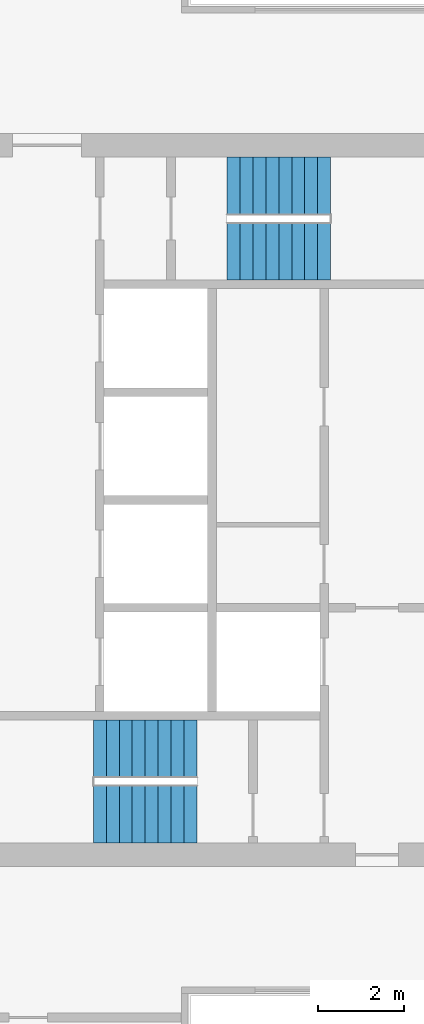
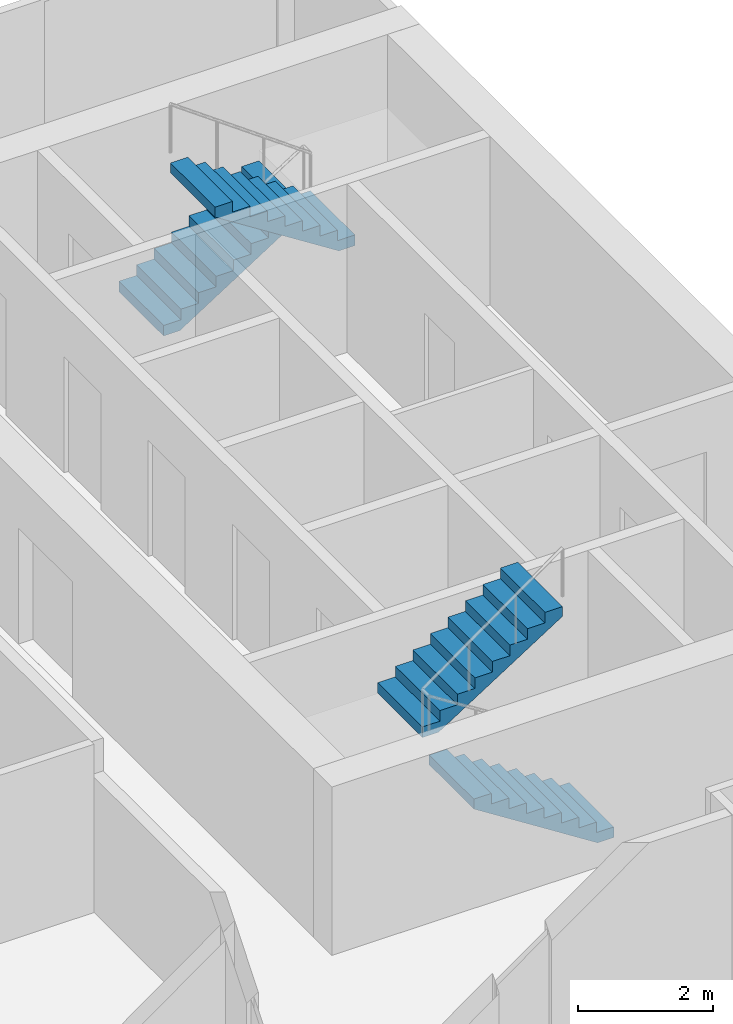
# One storey, part 8 of 10: 4 stair flights, 2 elements without a shape of their own.
"""IFC4 building model written with IfcOpenShell, lengths in metres."""

from ifc_helpers import new_model, si_unit, direction, frame, origin, place, context, subcontext, project, spatial, polyline, outline, extrude, material, type_object, element, aggregate, save


model = new_model("IFC4")

# Units and contexts
model_context = context("Model", 3, precision=1e-05, world=origin(), true_north=direction((0.0, 1.0)))
body_context = subcontext(model_context, "Body", "Model", "MODEL_VIEW")
ifc_project = project(units=[si_unit("LENGTHUNIT", "METRE"), si_unit("AREAUNIT", "SQUARE_METRE"), si_unit("VOLUMEUNIT", "CUBIC_METRE"), si_unit("PLANEANGLEUNIT", "RADIAN"), si_unit("MASSUNIT", "GRAM", prefix="KILO")], contexts=[model_context])

# Site, building, storey
site_placement = place(None, origin())
site = spatial("IfcSite", under=ifc_project, at=site_placement, CompositionType="ELEMENT")
building_placement = place(site_placement, origin())
building = spatial("IfcBuilding", under=site, at=building_placement, Name="Kitamizu Gate Tower and Museum", CompositionType="ELEMENT")
storey_placement = place(building_placement, frame((0.0, 0.0, 185.85009765625)))
storey = spatial("IfcBuildingStorey", under=building, at=storey_placement, Name="L49", CompositionType="ELEMENT", Elevation=185.85009765625)

# Stair, stair flights
ifc_material_1 = material(Name="Concrete Fc42", Category="concrete")
stair_type = type_object("IfcStairType", Name="Exit stair 1325 wide 192 rise 300 going", PredefinedType="HALF_TURN_STAIR", material=ifc_material_1)
stair_1_placement = place(storey_placement, origin())
stair_1 = element("IfcStair", 1, at=stair_1_placement, inside=storey, type_object=stair_type, Name="Exit stair ST3", PredefinedType="HALF_TURN_STAIR")
ifc_material_2 = material(Name="Concrete Fc42", Category="concrete")
stair_flight_type = type_object("IfcStairFlightType", Name="Stair flight 1325 wide 192 rise 300 going", PredefinedType="STRAIGHT", material=ifc_material_2)
stair_flight_1_placement = place(storey_placement, frame((53.64990234375, 22.71240234375, 0.0), z_axis=(0.0, 0.0, 1.0), x_axis=(-1.0, 0.0, 0.0)))
stair_flight_1 = element("IfcStairFlight", 2, at=stair_flight_1_placement, type_object=stair_flight_type, Name="ST3 flight 1", NumberOfRisers=9, NumberOfTreads=8, PredefinedType="STRAIGHT", RiserHeight=0.191666667, TreadLength=0.3, context=body_context, shape_type="SweptSolid", body=[
    extrude(outline(polyline([(0.0, 0.0), (0.0, 0.191650390625), (0.300048828125, 0.191650390625), (0.300048828125, 0.38330078125), (0.60009765625, 0.38330078125), (0.60009765625, 0.574951171875), (0.89990234375, 0.574951171875), (0.89990234375, 0.7666015625), (1.199951171875, 0.7666015625), (1.199951171875, 0.958251953125), (1.5, 0.958251953125), (1.5, 1.14990234375), (1.800048828125, 1.14990234375), (1.800048828125, 1.341552734375), (2.10009765625, 1.341552734375), (2.10009765625, 1.533447265625), (2.39990234375, 1.533447265625), (2.39990234375, 1.72509765625), (2.39990234375, 1.35546875), (0.2783203125, 0.0), (0.0, 0.0)])), frame((0.0, 0.66259765625, 0.0), z_axis=(0.0, -1.0, 0.0), x_axis=(1.0, 0.0, 0.0)), (0.0, 0.0, 1.0), 1.324951171875),
])
stair_flight_2_placement = place(storey_placement, frame((51.25, 24.237548828125, 1.724853515625), z_axis=(0.0, 0.0, 1.0), x_axis=(1.0, 0.0, 0.0)))
stair_flight_2 = element("IfcStairFlight", 3, at=stair_flight_2_placement, type_object=stair_flight_type, Name="ST3 flight 2", NumberOfRisers=9, NumberOfTreads=8, PredefinedType="STRAIGHT", RiserHeight=0.191666667, TreadLength=0.3, context=body_context, shape_type="SweptSolid", body=[
    extrude(outline(polyline([(0.0, 0.0), (0.0, 0.191650390625), (0.300048828125, 0.191650390625), (0.300048828125, 0.38330078125), (0.60009765625, 0.38330078125), (0.60009765625, 0.574951171875), (0.89990234375, 0.574951171875), (0.89990234375, 0.7666015625), (1.199951171875, 0.7666015625), (1.199951171875, 0.958251953125), (1.5, 0.958251953125), (1.5, 1.14990234375), (1.800048828125, 1.14990234375), (1.800048828125, 1.341552734375), (2.10009765625, 1.341552734375), (2.10009765625, 1.533447265625), (2.39990234375, 1.533447265625), (2.39990234375, 1.72509765625), (2.39990234375, 1.35546875), (0.2783203125, 0.0), (0.0, 0.0)])), frame((0.0, 0.66259765625, 0.0), z_axis=(0.0, -1.0, 0.0), x_axis=(1.0, 0.0, 0.0)), (0.0, 0.0, 1.0), 1.324951171875),
])
aggregate(stair_1, [stair_flight_1, stair_flight_2])

stair_2_placement = place(storey_placement, origin())
stair_2 = element("IfcStair", 4, at=stair_2_placement, inside=storey, type_object=stair_type, Name="Exit stair ST4", PredefinedType="HALF_TURN_STAIR")
stair_flight_3_placement = place(storey_placement, frame((54.35009765625, 37.28759765625, 0.0), z_axis=(0.0, 0.0, 1.0), x_axis=(1.0, 0.0, 0.0)))
stair_flight_3 = element("IfcStairFlight", 5, at=stair_flight_3_placement, type_object=stair_flight_type, Name="ST4 flight 1", NumberOfRisers=9, NumberOfTreads=8, PredefinedType="STRAIGHT", RiserHeight=0.191666667, TreadLength=0.3, context=body_context, shape_type="SweptSolid", body=[
    extrude(outline(polyline([(0.0, 0.0), (0.0, 0.191650390625), (0.300048828125, 0.191650390625), (0.300048828125, 0.38330078125), (0.60009765625, 0.38330078125), (0.60009765625, 0.574951171875), (0.89990234375, 0.574951171875), (0.89990234375, 0.7666015625), (1.199951171875, 0.7666015625), (1.199951171875, 0.958251953125), (1.5, 0.958251953125), (1.5, 1.14990234375), (1.800048828125, 1.14990234375), (1.800048828125, 1.341552734375), (2.10009765625, 1.341552734375), (2.10009765625, 1.533447265625), (2.39990234375, 1.533447265625), (2.39990234375, 1.72509765625), (2.39990234375, 1.35546875), (0.2783203125, 0.0), (0.0, 0.0)])), frame((0.0, 0.66259765625, 0.0), z_axis=(0.0, -1.0, 0.0), x_axis=(1.0, 0.0, 0.0)), (0.0, 0.0, 1.0), 1.324951171875),
])
stair_flight_4_placement = place(storey_placement, frame((56.75, 35.762451171875, 1.724853515625), z_axis=(0.0, 0.0, 1.0), x_axis=(-1.0, 0.0, 0.0)))
stair_flight_4 = element("IfcStairFlight", 6, at=stair_flight_4_placement, type_object=stair_flight_type, Name="ST4 flight 2", NumberOfRisers=9, NumberOfTreads=8, PredefinedType="STRAIGHT", RiserHeight=0.191666667, TreadLength=0.3, context=body_context, shape_type="SweptSolid", body=[
    extrude(outline(polyline([(0.0, 0.0), (0.0, 0.191650390625), (0.300048828125, 0.191650390625), (0.300048828125, 0.38330078125), (0.60009765625, 0.38330078125), (0.60009765625, 0.574951171875), (0.89990234375, 0.574951171875), (0.89990234375, 0.7666015625), (1.199951171875, 0.7666015625), (1.199951171875, 0.958251953125), (1.5, 0.958251953125), (1.5, 1.14990234375), (1.800048828125, 1.14990234375), (1.800048828125, 1.341552734375), (2.10009765625, 1.341552734375), (2.10009765625, 1.533447265625), (2.39990234375, 1.533447265625), (2.39990234375, 1.72509765625), (2.39990234375, 1.35546875), (0.2783203125, 0.0), (0.0, 0.0)])), frame((0.0, 0.66259765625, 0.0), z_axis=(0.0, -1.0, 0.0), x_axis=(1.0, 0.0, 0.0)), (0.0, 0.0, 1.0), 1.324951171875),
])
aggregate(stair_2, [stair_flight_3, stair_flight_4])

save(model, "model.ifc")
